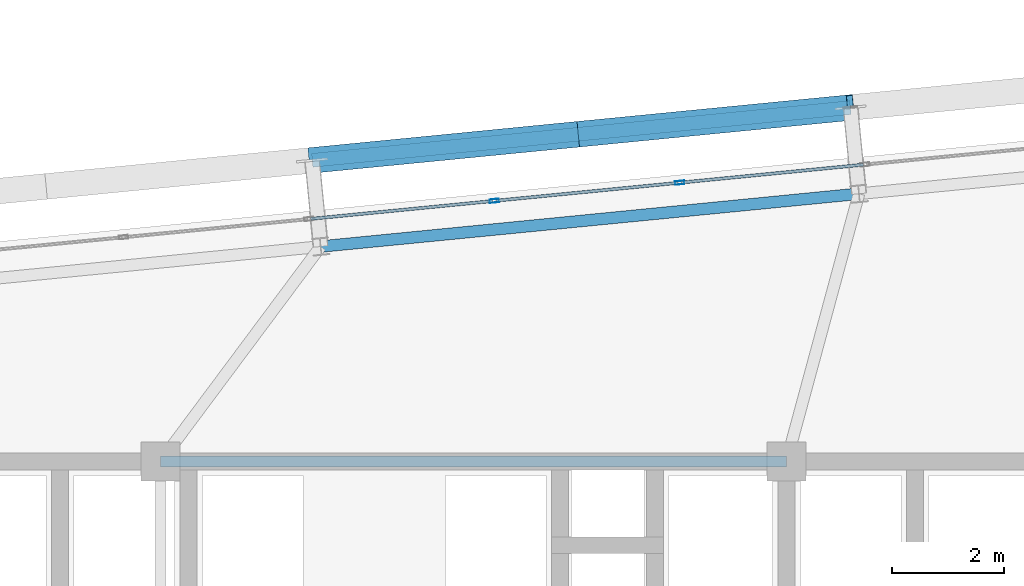
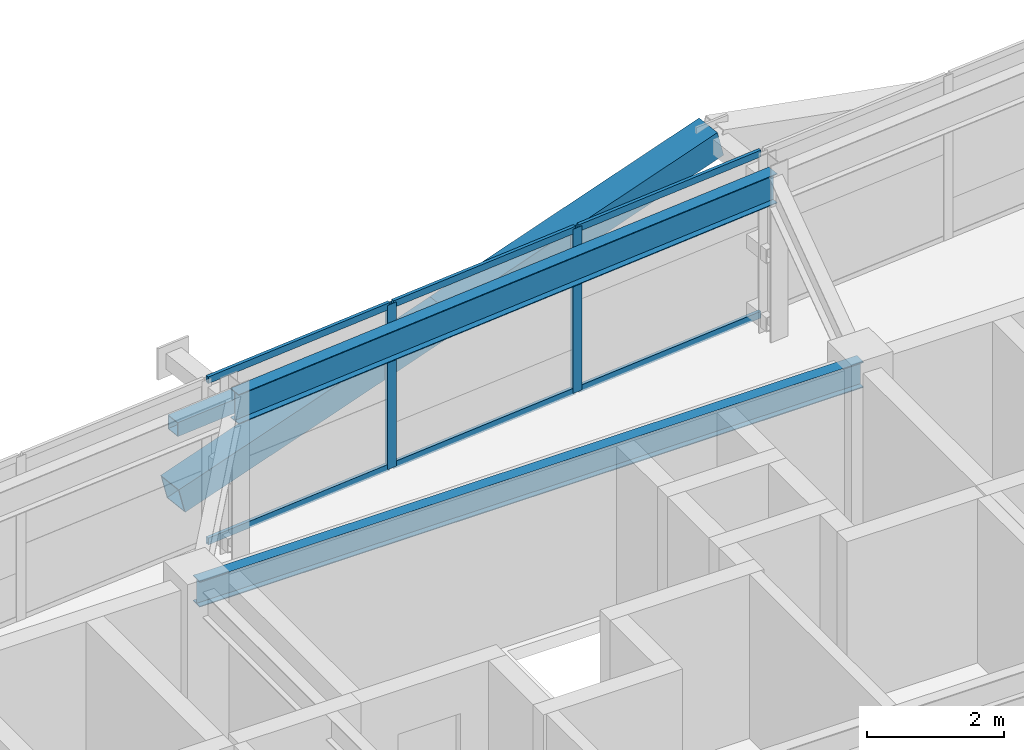
# One storey, part 30 of 52: 11 members, 2 beams, 1 element without a shape of its own.
"""IFC4 building model written with IfcOpenShell, lengths in metres."""

from ifc_helpers import new_model, si_unit, direction, frame, origin, origin_2d, place, context, subcontext, project, spatial, hollow_rectangle, i_section, extrude, source, transform, mapped, material, layer, layer_set, material_profile, profile_set, type_object, element, aggregate, save


model = new_model("IFC4")

# Units and contexts
model_context = context("Model", 3, precision=1e-05, world=origin(), true_north=direction((0.0, 1.0)))
body_context = subcontext(model_context, "Body", "Model", "MODEL_VIEW")
ifc_project = project(units=[si_unit("LENGTHUNIT", "METRE"), si_unit("AREAUNIT", "SQUARE_METRE"), si_unit("VOLUMEUNIT", "CUBIC_METRE"), si_unit("PLANEANGLEUNIT", "RADIAN"), si_unit("MASSUNIT", "GRAM", prefix="KILO")], contexts=[model_context])

# Site, building, storey
site_placement = place(None, origin())
site = spatial("IfcSite", under=ifc_project, at=site_placement, CompositionType="ELEMENT")
building_placement = place(site_placement, origin())
building = spatial("IfcBuilding", under=site, at=building_placement, Name="Taldren Reach Tower", CompositionType="ELEMENT")
storey_placement = place(building_placement, frame((0.0, 0.0, 74.550048828125)))
storey = spatial("IfcBuildingStorey", under=building, at=storey_placement, Name="L22", CompositionType="ELEMENT", Elevation=74.550048828125)

# Beams
ifc_material_1 = material(Name="Steel Gr 350 (350PLUS)", Category="steel")
ifc_material_profile_1 = material_profile(ifc_material_1, i_section(OverallWidth=0.19091796875, OverallDepth=0.4599609375, WebThickness=0.010009765625, FlangeThickness=0.01611328125, at=origin_2d()), Name="460UB82.1")
ifc_profile_set_1 = profile_set([ifc_material_profile_1], Name="Steel Gr 350 (350PLUS)")
beam_type_1 = type_object("IfcBeamType", Name="BM-UB460A", PredefinedType="BEAM", material=ifc_profile_set_1)
shared_shape_1 = source(origin(), body_context, "Body", "SweptSolid", [
    extrude(i_section(OverallWidth=0.19091796875, OverallDepth=0.4599609375, WebThickness=0.010009765625, FlangeThickness=0.01611328125, at=origin_2d()), origin(), (0.0, 0.0, 1.0), 11.199951171875),
])
beam_1_placement = place(storey_placement, frame((28.0, 32.0, 2.699951171875), z_axis=(1.0, 0.0, 0.0), x_axis=(0.0, 1.0, 0.0)))
element("IfcBeam", 1, at=beam_1_placement, inside=storey, type_object=beam_type_1, Name="Core-spine girder L22-SP05", PredefinedType="BEAM", context=body_context, shape_type="MappedRepresentation", body=[
    mapped(shared_shape_1, transform((0.0, 0.0, 0.0), scale=1.0)),
])
ifc_material_profile_2 = material_profile(ifc_material_1, i_section(OverallWidth=0.208984375, OverallDepth=0.528076171875, WebThickness=0.009521484375, FlangeThickness=0.01318359375, at=origin_2d()), Name="530UB82.0")
ifc_profile_set_2 = profile_set([ifc_material_profile_2], Name="Steel Gr 350 (350PLUS)")
beam_type_2 = type_object("IfcBeamType", Name="SP-UB530B", PredefinedType="SPANDREL", material=ifc_profile_set_2)
shared_shape_2 = source(origin(), body_context, "Body", "SweptSolid", [
    extrude(i_section(OverallWidth=0.208984375, OverallDepth=0.528076171875, WebThickness=0.009521484375, FlangeThickness=0.01318359375, at=origin_2d()), origin(), (0.0, 0.0, 1.0), 9.679931640625),
])
beam_2_placement = place(storey_placement, frame((40.498291015625, 36.790771484375, 2.666015625), z_axis=(-0.995227612658, -0.097580730699, 0.0), x_axis=(0.097580730699, -0.995227612658, 0.0)))
element("IfcBeam", 2, at=beam_2_placement, inside=storey, type_object=beam_type_2, Name="Perimeter spandrel B2 N4-N3 L22", PredefinedType="SPANDREL", context=body_context, shape_type="MappedRepresentation", body=[
    mapped(shared_shape_2, transform((0.0, 0.0, 0.0), scale=1.0)),
])

# Members
ifc_material_2 = material(Name="Steel Gr 450 (C450L0)", Category="steel")
ifc_material_profile_3 = material_profile(ifc_material_2, hollow_rectangle(XDim=0.4599609375, YDim=0.4599609375, WallThickness=0.01611328125, at=origin_2d()), Name="460x460x16.0SHS")
ifc_profile_set_3 = profile_set([ifc_material_profile_3], Name="Steel Gr 450 (C450L0)")
member_type_1 = type_object("IfcMemberType", Name="MB-EXO457", PredefinedType="BRACE", material=ifc_profile_set_3)
shared_shape_3 = source(origin(), body_context, "Body", "SweptSolid", [
    extrude(hollow_rectangle(XDim=0.4599609375, YDim=0.4599609375, WallThickness=0.01611328125, at=origin_2d()), origin(), (0.0, 0.0, 1.0), 4.990234375),
])
for number, where, z_axis, x_axis, name in (
    (3, (30.713134765625, 37.388671875, 0.219970703125), (0.965271056716, 0.094667992638, 0.243494883389), (-0.097605711627, 0.995225162995, 0.0), "Exoskeleton Diagrid Brace B2-N3 L22"),
    (4, (35.530029296875, 37.861083984375, 1.43505859375), (0.965287024526, 0.094620633828, 0.24344998652), (-0.097555749586, 0.995230061706, 0.0), "Exoskeleton Diagrid Brace B2-N3 L22"),
):
    element("IfcMember", number, at=place(storey_placement, frame(where, z_axis=z_axis, x_axis=x_axis)), inside=storey, type_object=member_type_1, Name=name, PredefinedType="BRACE", context=body_context, shape_type="MappedRepresentation", body=[
        mapped(shared_shape_3, transform((0.0, 0.0, 0.0), scale=1.0)),
    ])
ifc_material_3 = material(Name="Steel Gr 350 (C350L0)", Category="steel")
ifc_material_profile_4 = material_profile(ifc_material_3, hollow_rectangle(XDim=0.25, YDim=0.25, WallThickness=0.010009765625, at=origin_2d()), Name="250x250x10.0SHS")
ifc_profile_set_4 = profile_set([ifc_material_profile_4], Name="Steel Gr 350 (C350L0)")
member_type_2 = type_object("IfcMemberType", Name="MB-POST250", PredefinedType="POST", material=ifc_profile_set_4)
shared_shape_4 = source(origin(), body_context, "Body", "SweptSolid", [
    extrude(hollow_rectangle(XDim=0.25, YDim=0.25, WallThickness=0.010009765625, at=origin_2d()), origin(), (0.0, 0.0, 1.0), 9.679931640625),
])
member_1_placement = place(storey_placement, frame((30.713134765625, 37.388671875, 1.43505859375), z_axis=(0.995227612658, 0.097580730699, 0.0), x_axis=(-0.097580730699, 0.995227612658, 0.0)))
element("IfcMember", 5, at=member_1_placement, inside=storey, type_object=member_type_2, Name="Exoskeleton mid-height ring chord B2-N3 L22", PredefinedType="POST", context=body_context, shape_type="MappedRepresentation", body=[
    mapped(shared_shape_4, transform((0.0, 0.0, 0.0), scale=1.0)),
])

# Curtain wall, members
ifc_material_4 = material(Name="Aluminium and Low-E Glass Unitised System", Category="aluminium")
ifc_layer = layer(ifc_material_4, 0.159912109375)
ifc_layer_set = layer_set([ifc_layer], Name="Aluminium and Low-E Glass Unitised System")
curtain_wall_type = type_object("IfcCurtainWallType", Name="CW-SYS-3", PredefinedType="NOTDEFINED", material=ifc_layer_set)
curtain_wall_placement = place(storey_placement, origin())
curtain_wall = element("IfcCurtainWall", 6, at=curtain_wall_placement, inside=storey, type_object=curtain_wall_type, Name="Unitised curtain wall CW-L22-N", PredefinedType="NOTDEFINED")
ifc_material_5 = material(Name="Anodised Aluminium 6063-T6", Category="aluminium")
ifc_material_profile_5 = material_profile(ifc_material_5, hollow_rectangle(XDim=0.06494140625, YDim=0.1650390625, WallThickness=0.00390625, at=origin_2d()), Name="ALU-165x65x4RHS")
ifc_profile_set_5 = profile_set([ifc_material_profile_5], Name="Anodised Aluminium 6063-T6")
member_type_3 = type_object("IfcMemberType", Name="CW-MUL-165", PredefinedType="MULLION", material=ifc_profile_set_5)
shared_shape_5 = source(origin(), body_context, "Body", "SweptSolid", [
    extrude(hollow_rectangle(XDim=0.06494140625, YDim=0.1650390625, WallThickness=0.00390625, at=origin_2d()), origin(), (0.0, 0.0, 1.0), 2.929931640625),
])
member_2_placement = place(storey_placement, frame((37.290283203125, 36.988525390625, 0.0), z_axis=(0.0, 0.0, 1.0), x_axis=(0.097582999046, -0.995227390247, 0.0)))
member_2 = element("IfcMember", 7, at=member_2_placement, type_object=member_type_3, Name="CW-3 mullion 8", PredefinedType="MULLION", context=body_context, shape_type="MappedRepresentation", body=[
    mapped(shared_shape_5, transform((0.0, 0.0, 0.0), scale=1.0)),
])
member_3_placement = place(storey_placement, frame((33.972900390625, 36.663330078125, 0.0), z_axis=(0.0, 0.0, 1.0), x_axis=(0.097582999046, -0.995227390247, 0.0)))
member_3 = element("IfcMember", 8, at=member_3_placement, type_object=member_type_3, Name="CW-3 mullion 9", PredefinedType="MULLION", context=body_context, shape_type="MappedRepresentation", body=[
    mapped(shared_shape_5, transform((0.0, 0.0, 0.0), scale=1.0)),
])
ifc_material_profile_6 = material_profile(ifc_material_5, hollow_rectangle(XDim=0.054931640625, YDim=0.1201171875, WallThickness=0.0029296875, at=origin_2d()), Name="ALU-120x55x3RHS")
ifc_profile_set_6 = profile_set([ifc_material_profile_6], Name="Anodised Aluminium 6063-T6")
member_type_4 = type_object("IfcMemberType", Name="CW-TRN-135", PredefinedType="USERDEFINED", material=ifc_profile_set_6)
shared_shape_6 = source(origin(), body_context, "Body", "SweptSolid", [
    extrude(hollow_rectangle(XDim=0.054931640625, YDim=0.1201171875, WallThickness=0.0029296875, at=origin_2d()), origin(), (0.0, 0.0, 1.0), 3.268310546875),
])
member_4_placement = place(storey_placement, frame((37.2578125, 36.9853515625, 0.02734375), z_axis=(-0.99522980512, -0.097558367146, 0.0), x_axis=(0.097558367146, -0.99522980512, 0.0)))
member_4 = element("IfcMember", 9, at=member_4_placement, type_object=member_type_4, Name="CW-3 transom 8.1", ObjectType="TRANSOM", PredefinedType="USERDEFINED", context=body_context, shape_type="MappedRepresentation", body=[
    mapped(shared_shape_6, transform((0.0, 0.0, 0.0), scale=1.0)),
])
member_5_placement = place(storey_placement, frame((37.2578125, 36.9853515625, 2.90234375), z_axis=(-0.99522980512, -0.097558367146, 0.0), x_axis=(0.097558367146, -0.99522980512, 0.0)))
member_5 = element("IfcMember", 10, at=member_5_placement, type_object=member_type_4, Name="CW-3 transom 8.2", ObjectType="TRANSOM", PredefinedType="USERDEFINED", context=body_context, shape_type="MappedRepresentation", body=[
    mapped(shared_shape_6, transform((0.0, 0.0, 0.0), scale=1.0)),
])
member_6_placement = place(storey_placement, frame((33.9404296875, 36.66015625, 0.02734375), z_axis=(-0.99522980512, -0.097558367146, 0.0), x_axis=(0.097558367146, -0.99522980512, 0.0)))
member_6 = element("IfcMember", 11, at=member_6_placement, type_object=member_type_4, Name="CW-3 transom 9.1", ObjectType="TRANSOM", PredefinedType="USERDEFINED", context=body_context, shape_type="MappedRepresentation", body=[
    mapped(shared_shape_6, transform((0.0, 0.0, 0.0), scale=1.0)),
])
member_7_placement = place(storey_placement, frame((33.9404296875, 36.66015625, 2.90234375), z_axis=(-0.99522980512, -0.097558367146, 0.0), x_axis=(0.097558367146, -0.99522980512, 0.0)))
member_7 = element("IfcMember", 12, at=member_7_placement, type_object=member_type_4, Name="CW-3 transom 9.2", ObjectType="TRANSOM", PredefinedType="USERDEFINED", context=body_context, shape_type="MappedRepresentation", body=[
    mapped(shared_shape_6, transform((0.0, 0.0, 0.0), scale=1.0)),
])
shared_shape_7 = source(origin(), body_context, "Body", "SweptSolid", [
    extrude(hollow_rectangle(XDim=0.054931640625, YDim=0.1201171875, WallThickness=0.0029296875, at=origin_2d()), origin(), (0.0, 0.0, 1.0), 3.2685546875),
])
member_8_placement = place(storey_placement, frame((40.575439453125, 37.310791015625, 0.02734375), z_axis=(-0.995223261527, -0.09762509778, 0.0), x_axis=(0.09762509778, -0.995223261527, 0.0)))
member_8 = element("IfcMember", 13, at=member_8_placement, type_object=member_type_4, Name="CW-3 transom 7.1", ObjectType="TRANSOM", PredefinedType="USERDEFINED", context=body_context, shape_type="MappedRepresentation", body=[
    mapped(shared_shape_7, transform((0.0, 0.0, 0.0), scale=1.0)),
])
member_9_placement = place(storey_placement, frame((40.575439453125, 37.310791015625, 2.90234375), z_axis=(-0.995223261527, -0.09762509778, 0.0), x_axis=(0.09762509778, -0.995223261527, 0.0)))
member_9 = element("IfcMember", 14, at=member_9_placement, type_object=member_type_4, Name="CW-3 transom 7.2", ObjectType="TRANSOM", PredefinedType="USERDEFINED", context=body_context, shape_type="MappedRepresentation", body=[
    mapped(shared_shape_7, transform((0.0, 0.0, 0.0), scale=1.0)),
])
aggregate(curtain_wall, [member_2, member_3, member_8, member_9, member_4, member_5, member_6, member_7])

save(model, "model.ifc")
